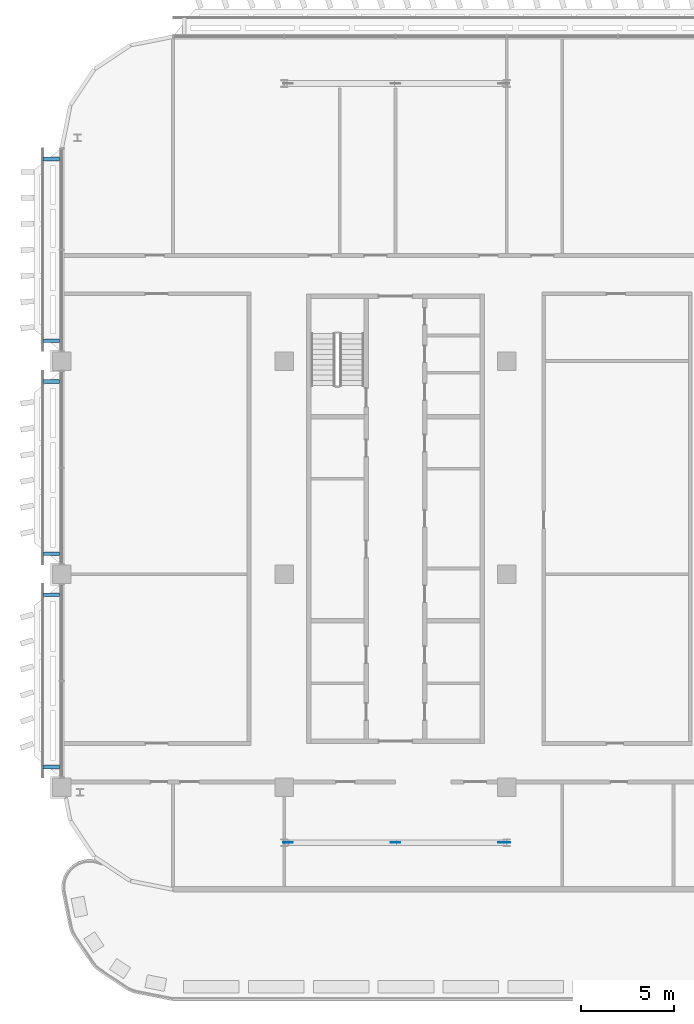
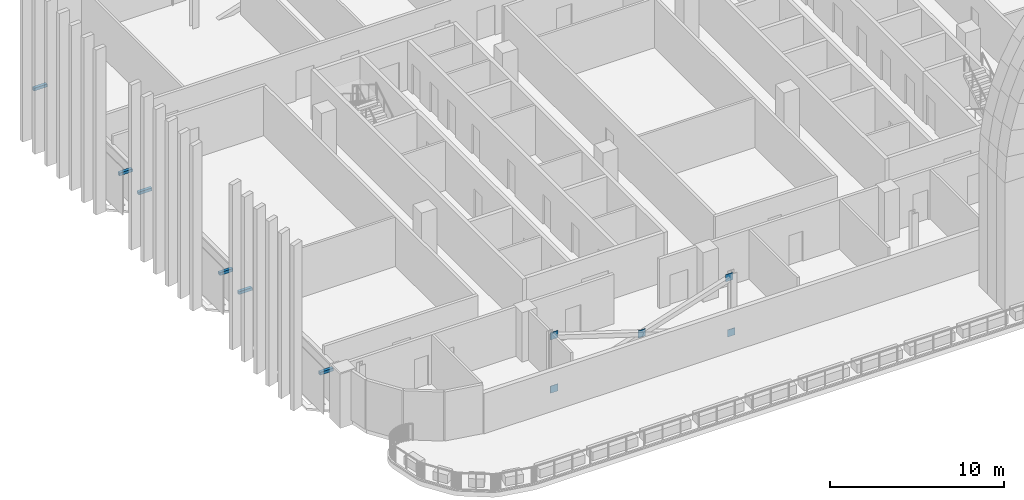
# One storey, part 18 of 30: 11 discrete accessories.
"""IFC4 building model written with IfcOpenShell, lengths in metres."""

import ifcopenshell
import ifcopenshell.guid

model = None  # the IFC model being written
_history = None  # IfcOwnerHistory: only IFC2X3 demands one
_inside = {}  # id of a spatial element -> (the spatial element, [elements in it])
_under = {}  # id of a project, library or spatial element -> (it, [spatial elements below it])
_declared = {}  # id of a project -> (the project, [libraries it declares])
_typed = {}  # id of a type object -> (the type object, [elements of that type])
_made_of = {}  # id of a material, layer set ... -> (it, [elements and type objects made of it])


def new_model(schema):
    """Start an empty IFC model of exactly this schema.

    Asked for "IFC4X3", IfcOpenShell would pick the latest addendum, in which some entities
    have other attributes; the version numbers below select the first issue.
    IFC2X3 requires an IfcOwnerHistory on every rooted entity: one is made here for all.
    """
    global model, _history
    if schema == "IFC4X3":
        model = ifcopenshell.file(schema_version=(4, 3, 0, 0))
    else:
        model = ifcopenshell.file(schema=schema)
    _inside.clear()
    _under.clear()
    _declared.clear()
    _typed.clear()
    _made_of.clear()
    _history = None
    if model.schema == "IFC2X3":
        org = make("IfcOrganization", Name="unknown")
        user = make(
            "IfcPersonAndOrganization",
            ThePerson=make("IfcPerson", FamilyName="unknown"),
            TheOrganization=org,
        )
        app = make(
            "IfcApplication",
            ApplicationDeveloper=org,
            Version="unknown",
            ApplicationFullName="unknown",
            ApplicationIdentifier="unknown",
        )
        _history = make(
            "IfcOwnerHistory",
            OwningUser=user,
            OwningApplication=app,
            ChangeAction="ADDED",
            CreationDate=0,
        )
    return model


def make(cls, **values):
    """One entity of the class cls with the attributes given. An attribute that is None is left unset."""
    return model.create_entity(
        cls, **{name: value for name, value in values.items() if value is not None}
    )


def rooted(cls, **values):
    """An entity with a GlobalId (a new one), such as an element, a storey or a relation."""
    return make(cls, GlobalId=ifcopenshell.guid.new(), OwnerHistory=_history, **values)


def si_unit(unit_type, name, prefix=None):
    """IfcSIUnit, for example si_unit("LENGTHUNIT", "METRE", prefix="MILLI")."""
    return make("IfcSIUnit", UnitType=unit_type, Prefix=prefix, Name=name)


def assignment(units):
    """IfcUnitAssignment: the units of a project."""
    return None if units is None else make("IfcUnitAssignment", Units=units)


def point(xyz):
    """IfcCartesianPoint."""
    return None if xyz is None else make("IfcCartesianPoint", Coordinates=xyz)


def direction(xyz):
    """IfcDirection."""
    return None if xyz is None else make("IfcDirection", DirectionRatios=xyz)


def frame(location, z_axis=None, x_axis=None):
    """IfcAxis2Placement3D, a coordinate frame: its origin and axes. An axis left out is left unset."""
    return make(
        "IfcAxis2Placement3D",
        Location=point(location),
        Axis=direction(z_axis),
        RefDirection=direction(x_axis),
    )


def frame_2d(location, x_axis=None):
    """IfcAxis2Placement2D, a coordinate frame in the plane: its origin and x axis."""
    return make(
        "IfcAxis2Placement2D", Location=point(location), RefDirection=direction(x_axis)
    )


def origin():
    """The frame at (0, 0, 0) with its axes left unset."""
    return frame((0.0, 0.0, 0.0))


def origin_2d():
    """The frame at (0, 0) in the plane with its x axis left unset."""
    return frame_2d((0.0, 0.0))


def place(relative_to, where):
    """IfcLocalPlacement: puts the frame where relative to a parent placement (None: the world)."""
    return make(
        "IfcLocalPlacement", PlacementRelTo=relative_to, RelativePlacement=where
    )


def context(
    kind, dimensions, precision=None, world=None, true_north=None, identifier=None
):
    """IfcGeometricRepresentationContext, for example the 3D "Model" context."""
    return make(
        "IfcGeometricRepresentationContext",
        ContextIdentifier=identifier,
        ContextType=kind,
        CoordinateSpaceDimension=dimensions,
        Precision=precision,
        WorldCoordinateSystem=world,
        TrueNorth=true_north,
    )


def subcontext(parent, identifier, kind, view, scale=None):
    """IfcGeometricRepresentationSubContext, for example "Body" below "Model"."""
    return make(
        "IfcGeometricRepresentationSubContext",
        ContextIdentifier=identifier,
        ContextType=kind,
        ParentContext=parent,
        TargetScale=scale,
        TargetView=view,
    )


def project(units=None, contexts=None):
    """IfcProject with its units and contexts."""
    return rooted(
        "IfcProject",
        Name="project",
        RepresentationContexts=contexts,
        UnitsInContext=assignment(units),
    )


def spatial(cls, under=None, at=None, **own):
    """A site, building, storey or space (cls), placed at a placement, below another one or the project."""
    s = rooted(cls, ObjectPlacement=at, **own)
    if under is not None:
        _under.setdefault(under.id(), (under, []))[1].append(s)
    return s


def profile(cls, at=None, kind="AREA", **sizes):
    """A parametric profile (cls). Its sizes go by their IFC names, for example OverallWidth=200.0."""
    return make(cls, ProfileType=kind, Position=at, **sizes)


def rectangle(**sizes):
    """IfcRectangleProfileDef."""
    return profile("IfcRectangleProfileDef", **sizes)


def extrude(swept, where, along, depth):
    """IfcExtrudedAreaSolid: the profile swept, set in the frame where, extruded along a direction by depth."""
    return make(
        "IfcExtrudedAreaSolid",
        SweptArea=swept,
        Position=where,
        ExtrudedDirection=direction(along),
        Depth=depth,
    )


def shape(context_of_items, identifier, shape_type, items):
    """IfcShapeRepresentation: the items that make up one representation, for example the "Body"."""
    return make(
        "IfcShapeRepresentation",
        ContextOfItems=context_of_items,
        RepresentationIdentifier=identifier,
        RepresentationType=shape_type,
        Items=items,
    )


def material(Name=None, Category=None):
    """IfcMaterial."""
    return make("IfcMaterial", Name=Name, Category=Category)


def layer(
    of_material, thickness, ventilated=None, Name=None, Category=None, Priority=None
):
    """IfcMaterialLayer: one layer of a wall or slab, of a material (None: an air gap)."""
    return make(
        "IfcMaterialLayer",
        Material=of_material,
        LayerThickness=thickness,
        IsVentilated=ventilated,
        Name=Name,
        Category=Category,
        Priority=Priority,
    )


def layer_set(layers, Name=None):
    """IfcMaterialLayerSet."""
    return make("IfcMaterialLayerSet", MaterialLayers=layers, LayerSetName=Name)


def made_of(thing, what):
    """Note that an element or type object is made of a material, layer set ...; save() writes the relation."""
    if what is not None:
        _made_of.setdefault(what.id(), (what, []))[1].append(thing)
    return thing


def type_object(cls, material=None, **own):
    """A type object (cls), such as IfcWallType, which elements share."""
    return made_of(rooted(cls, **own), material)


def element(
    cls,
    number,
    at=None,
    inside=None,
    cuts=None,
    type_object=None,
    material=None,
    context=None,
    identifier="Body",
    shape_type=None,
    held_by="IfcProductDefinitionShape",
    body=None,
    shapes=None,
    **own,
):
    """One element of the class cls, such as IfcWall. Its Tag is "e" and its number.

    at: its placement. inside: the storey or other place that contains it. cuts: it is an
    opening in that element (IfcRelVoidsElement). A single representation is given by context,
    identifier, shape_type and body (its items); several are given by shapes. held_by: the class
    of the entity that holds the representations. save() writes the other relations.
    """
    e = rooted(cls, Tag="e%d" % number, ObjectPlacement=at, **own)
    if body is not None:
        shapes = [shape(context, identifier, shape_type, body)]
    if shapes is not None:
        e.Representation = make(held_by, Representations=shapes)
    if inside is not None:
        _inside.setdefault(inside.id(), (inside, []))[1].append(e)
    if cuts is not None:
        rooted(
            "IfcRelVoidsElement", RelatingBuildingElement=cuts, RelatedOpeningElement=e
        )
    if type_object is not None:
        _typed.setdefault(type_object.id(), (type_object, []))[1].append(e)
    return made_of(e, material)


def aggregate(whole, parts):
    """IfcRelAggregates: a whole, such as a stair, and the parts it consists of."""
    return rooted("IfcRelAggregates", RelatingObject=whole, RelatedObjects=parts)


def save(model, path):
    """Write the relations noted so far, then the file.

    IfcRelAggregates (storeys below a building ...), IfcRelContainedInSpatialStructure (elements
    in a storey), IfcRelDefinesByType, IfcRelAssociatesMaterial and IfcRelDeclares: one each for
    every whole, place, type object, material and project.
    """
    for whole, parts in _under.values():
        aggregate(whole, parts)
    for where, things in _inside.values():
        rooted(
            "IfcRelContainedInSpatialStructure",
            RelatedElements=things,
            RelatingStructure=where,
        )
    for kind, things in _typed.values():
        rooted("IfcRelDefinesByType", RelatedObjects=things, RelatingType=kind)
    for what, things in _made_of.values():
        rooted("IfcRelAssociatesMaterial", RelatedObjects=things, RelatingMaterial=what)
    for by, libraries in _declared.values():
        rooted("IfcRelDeclares", RelatingContext=by, RelatedDefinitions=libraries)
    model.write(path)


model = new_model("IFC4")

# Units and contexts
model_context = context("Model", 3, precision=1e-05, world=origin(), true_north=direction((0.0, 1.0)))
body_context = subcontext(model_context, "Body", "Model", "MODEL_VIEW")
ifc_project = project(units=[si_unit("LENGTHUNIT", "METRE"), si_unit("AREAUNIT", "SQUARE_METRE"), si_unit("VOLUMEUNIT", "CUBIC_METRE"), si_unit("PLANEANGLEUNIT", "RADIAN"), si_unit("MASSUNIT", "GRAM", prefix="KILO")], contexts=[model_context])

# Site, building, storey
site_placement = place(None, origin())
site = spatial("IfcSite", under=ifc_project, at=site_placement, CompositionType="ELEMENT")
building_placement = place(site_placement, origin())
building = spatial("IfcBuilding", under=site, at=building_placement, Name="Mahtab Terrace Research Tower", CompositionType="ELEMENT")
storey_placement = place(building_placement, frame((0.0, 0.0, 228.60009765625)))
storey = spatial("IfcBuildingStorey", under=building, at=storey_placement, Name="L55", CompositionType="ELEMENT", Elevation=228.60009765625)

# Discrete accessories
ifc_material_1 = material(Name="Black anodised aluminium", Category="aluminium")
discrete_accessory_type_1 = type_object("IfcDiscreteAccessoryType", Name="Facade bracket", PredefinedType="BRACKET", material=ifc_material_1)
for number, where, z_axis, x_axis, name in (
    (1, (-42.5625, 22.39990234375, 2.552734375), (0.0, 0.0, 1.0), (0.0, -1.0, 0.0), "Screen bracket Girih screen L55 W9"),
    (2, (-42.5625, 12.60009765625, 2.552734375), (0.0, 0.0, 1.0), (0.0, -1.0, 0.0), "Screen bracket Girih screen L55 W9"),
    (3, (-42.5625, 10.39990234375, 2.552734375), (0.0, 0.0, 1.0), (0.0, -1.0, 0.0), "Screen bracket Girih screen L55 W10"),
    (4, (-42.5625, 1.10009765625, 2.552734375), (0.0, 0.0, 1.0), (0.0, -1.0, 0.0), "Screen bracket Girih screen L55 W10"),
    (5, (-42.5625, -1.10009765625, 2.552734375), (0.0, 0.0, 1.0), (0.0, -1.0, 0.0), "Screen bracket Girih screen L55 W11"),
    (6, (-42.5625, -10.39990234375, 2.552734375), (0.0, 0.0, 1.0), (0.0, -1.0, 0.0), "Screen bracket Girih screen L55 W11"),
):
    element("IfcDiscreteAccessory", number, at=place(storey_placement, frame(where, z_axis=z_axis, x_axis=x_axis)), inside=storey, type_object=discrete_accessory_type_1, Name=name, PredefinedType="BRACKET", context=body_context, shape_type="SweptSolid", body=[
        extrude(rectangle(XDim=0.199951171875, YDim=0.875, at=origin_2d()), origin(), (0.0, 0.0, 1.0), 0.199951171875),
    ])
ifc_material_2 = material(Name="Steel ASTM A992 Gr 50", Category="steel")
ifc_layer = layer(ifc_material_2, 0.030029296875)
ifc_layer_set = layer_set([ifc_layer], Name="Gusset plate 500x500x30")
discrete_accessory_type_2 = type_object("IfcDiscreteAccessoryType", Name="Gusset plate 500x500x30", PredefinedType="USERDEFINED", material=ifc_layer_set)
for number, where, z_axis, x_axis, name in (
    (7, (-29.800537109375, -14.472900390625, -0.83056640625), (0.0, 0.0, 1.0), (1.0, 0.0, 0.0), "Gusset plate"),
    (8, (-29.800537109375, -14.472900390625, 2.906494140625), (0.0, 0.0, 1.0), (1.0, 0.0, 0.0), "Gusset plate"),
    (9, (-24.0, -14.472900390625, 1.00634765625), (0.0, 0.0, 1.0), (1.0, 0.0, 0.0), "Gusset plate"),
    (10, (-18.06640625, -14.472900390625, -1.00390625), (0.0, 0.0, 1.0), (1.0, 0.0, 0.0), "Gusset plate"),
    (11, (-18.199462890625, -14.472900390625, 2.906494140625), (0.0, 0.0, 1.0), (1.0, 0.0, 0.0), "Gusset plate"),
):
    element("IfcDiscreteAccessory", number, at=place(storey_placement, frame(where, z_axis=z_axis, x_axis=x_axis)), inside=storey, type_object=discrete_accessory_type_2, Name=name, ObjectType="GUSSET PLATE", PredefinedType="USERDEFINED", context=body_context, shape_type="SweptSolid", body=[
        extrude(rectangle(XDim=0.5, YDim=0.030029296875, at=origin_2d()), origin(), (0.0, 0.0, 1.0), 0.5),
    ])

save(model, "model.ifc")
